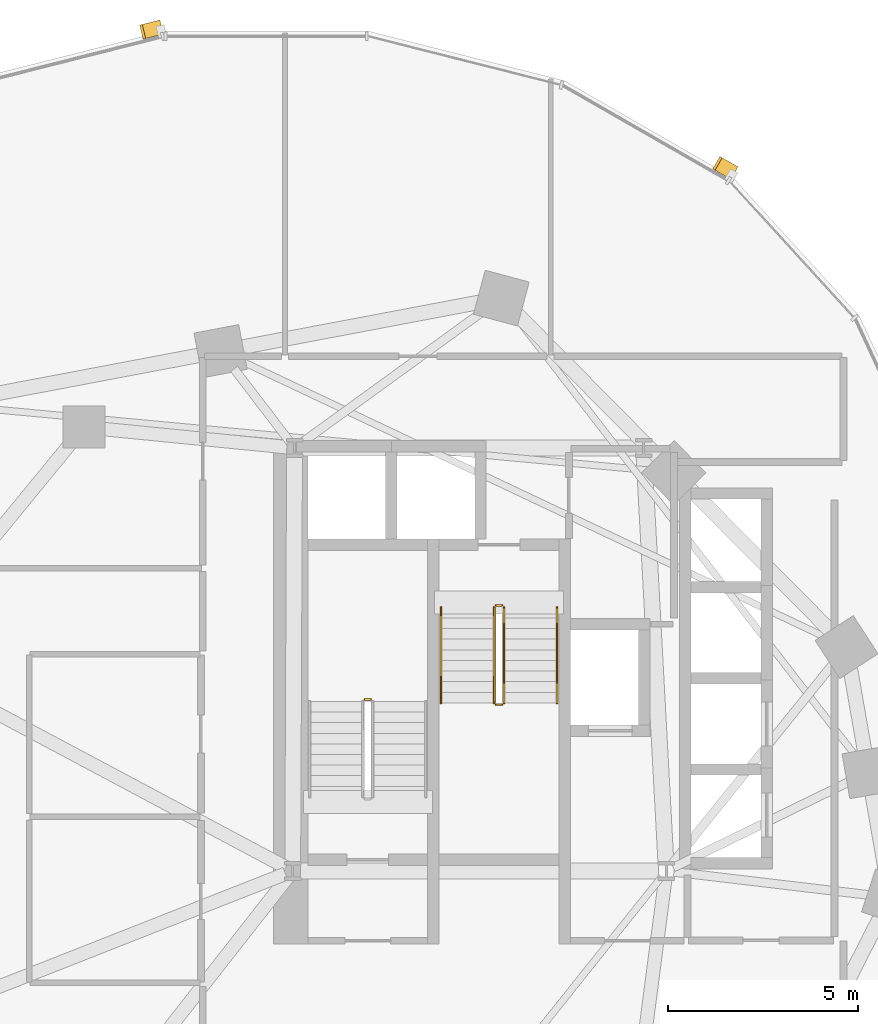
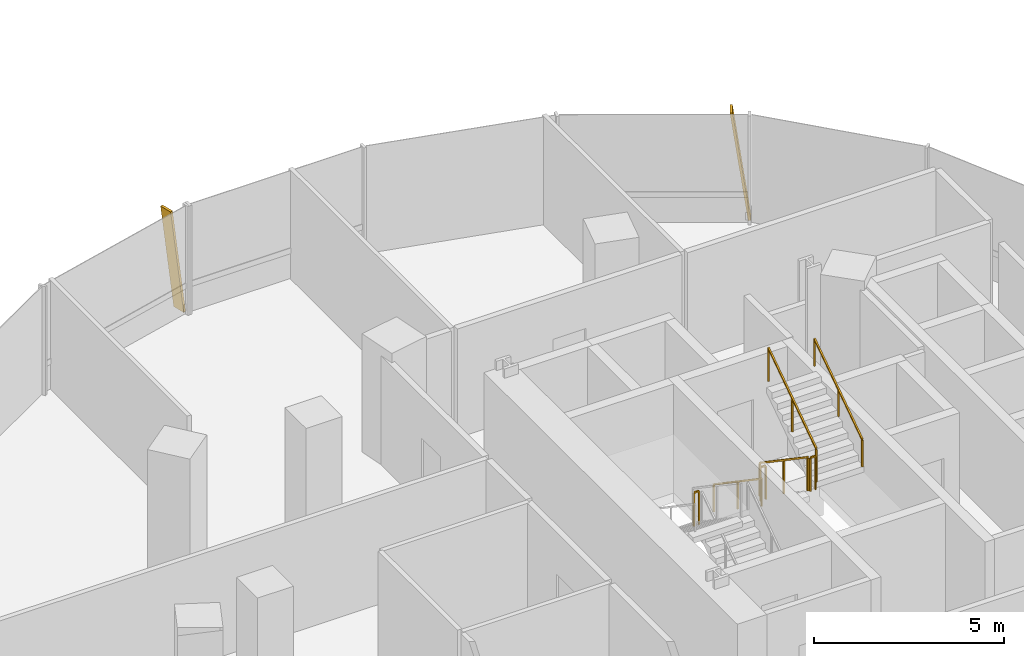
# One storey, part 19 of 21: 7 railings, 2 shading devices.
"""IFC4 building model written with IfcOpenShell, lengths in metres."""

from ifc_helpers import new_model, si_unit, direction, frame, origin, origin_2d, place, context, subcontext, project, spatial, rectangle, extrude, material, material_profile, profile_set, type_object, element, save


model = new_model("IFC4")

# Units and contexts
model_context = context("Model", 3, precision=1e-05, world=origin(), true_north=direction((0.0, 1.0)))
body_context = subcontext(model_context, "Body", "Model", "MODEL_VIEW")
ifc_project = project(units=[si_unit("LENGTHUNIT", "METRE"), si_unit("AREAUNIT", "SQUARE_METRE"), si_unit("VOLUMEUNIT", "CUBIC_METRE"), si_unit("PLANEANGLEUNIT", "RADIAN"), si_unit("MASSUNIT", "GRAM", prefix="KILO"), si_unit("THERMODYNAMICTEMPERATUREUNIT", "KELVIN"), si_unit("POWERUNIT", "WATT")], contexts=[model_context])

# Site, building, storey
site_placement = place(None, origin())
site = spatial("IfcSite", under=ifc_project, at=site_placement, CompositionType="ELEMENT")
building_placement = place(site_placement, origin())
building = spatial("IfcBuilding", under=site, at=building_placement, Name="Cundina Bronze Exchange", CompositionType="ELEMENT")
storey_placement = place(building_placement, frame((0.0, 0.0, 62.0)))
storey = spatial("IfcBuildingStorey", under=building, at=storey_placement, Name="L15", CompositionType="ELEMENT", Elevation=62.0)

# Railings
ifc_material_1 = material(Name="Steel ASTM A36 Painted", Category="steel")
railing_type_1 = type_object("IfcRailingType", Name="RLG-HND-900", PredefinedType="HANDRAIL", material=ifc_material_1)
railing_1_placement = place(storey_placement, frame((-27.389892578125, 10.85009765625, 0.18994140625)))
element("IfcRailing", 1, at=railing_1_placement, inside=storey, type_object=railing_type_1, Name="L15 ST-W2 stair handrail 1", PredefinedType="HANDRAIL", context=body_context, shape_type="SweptSolid", body=[
    extrude(rectangle(XDim=0.048095703125, YDim=0.048095703125, at=origin_2d()), frame((0.0, 0.0, 0.8759765625), z_axis=(0.0, -0.827483756001, 0.561489655786), x_axis=(1.0, 0.0, 0.0)), (0.0, 0.0, 1.0), 3.04541015625),
    extrude(rectangle(XDim=0.0419921875, YDim=0.0419921875, at=origin_2d()), origin(), (0.0, 0.0, 1.0), 0.851806640625),
    extrude(rectangle(XDim=0.0419921875, YDim=0.0419921875, at=origin_2d()), frame((0.0, -1.260009765625, 0.85498046875)), (0.0, 0.0, 1.0), 0.851806640625),
    extrude(rectangle(XDim=0.0419921875, YDim=0.0419921875, at=origin_2d()), frame((0.0, -2.52001953125, 1.7099609375)), (0.0, 0.0, 1.0), 0.851806640625),
])
railing_2_placement = place(storey_placement, frame((-24.330078125, 8.330078125, 2.090087890625)))
element("IfcRailing", 2, at=railing_2_placement, inside=storey, type_object=railing_type_1, Name="L15 ST-W2 stair handrail 2", PredefinedType="HANDRAIL", context=body_context, shape_type="SweptSolid", body=[
    extrude(rectangle(XDim=0.048095703125, YDim=0.048095703125, at=origin_2d()), frame((0.0, 0.0, 0.8759765625), z_axis=(0.0, 0.827483756001, 0.561489655786), x_axis=(-1.0, 0.0, 0.0)), (0.0, 0.0, 1.0), 3.04541015625),
    extrude(rectangle(XDim=0.0419921875, YDim=0.0419921875, at=origin_2d()), origin(), (0.0, 0.0, 1.0), 0.851806640625),
    extrude(rectangle(XDim=0.0419921875, YDim=0.0419921875, at=origin_2d()), frame((0.0, 1.260009765625, 0.85498046875)), (0.0, 0.0, 1.0), 0.851806640625),
    extrude(rectangle(XDim=0.0419921875, YDim=0.0419921875, at=origin_2d()), frame((0.0, 2.52001953125, 1.7099609375)), (0.0, 0.0, 1.0), 0.851806640625),
])
railing_type_2 = type_object("IfcRailingType", Name="RLG-STG-1100", PredefinedType="GUARDRAIL", material=ifc_material_1)
railing_3_placement = place(storey_placement, frame((-29.239990234375, 8.419921875, 1.89990234375)))
element("IfcRailing", 3, at=railing_3_placement, inside=storey, type_object=railing_type_2, Name="L15 ST-W1 stair guard 2", PredefinedType="GUARDRAIL", context=body_context, shape_type="SweptSolid", body=[
    extrude(rectangle(XDim=0.048095703125, YDim=0.048095703125, at=origin_2d()), frame((0.0, 0.0, 1.076171875), z_axis=(-1.0, 0.0, 0.0), x_axis=(0.0, -1.0, 0.0)), (0.0, 0.0, 1.0), 0.159912109375),
    extrude(rectangle(XDim=0.0419921875, YDim=0.0419921875, at=origin_2d()), origin(), (0.0, 0.0, 1.0), 1.052001953125),
    extrude(rectangle(XDim=0.0419921875, YDim=0.0419921875, at=origin_2d()), frame((-0.159912109375, 0.0, 0.0)), (0.0, 0.0, 1.0), 1.052001953125),
])
railing_4_placement = place(storey_placement, frame((-25.989990234375, 10.85009765625, 0.18994140625)))
element("IfcRailing", 4, at=railing_4_placement, inside=storey, type_object=railing_type_2, Name="L15 ST-W2 stair guard 1", PredefinedType="GUARDRAIL", context=body_context, shape_type="SweptSolid", body=[
    extrude(rectangle(XDim=0.048095703125, YDim=0.048095703125, at=origin_2d()), frame((0.0, 0.0, 1.076171875), z_axis=(0.0, -0.827483756001, 0.561489655786), x_axis=(1.0, 0.0, 0.0)), (0.0, 0.0, 1.0), 3.04541015625),
    extrude(rectangle(XDim=0.0419921875, YDim=0.0419921875, at=origin_2d()), origin(), (0.0, 0.0, 1.0), 1.052001953125),
    extrude(rectangle(XDim=0.0419921875, YDim=0.0419921875, at=origin_2d()), frame((0.0, -1.260009765625, 0.85498046875)), (0.0, 0.0, 1.0), 1.052001953125),
    extrude(rectangle(XDim=0.0419921875, YDim=0.0419921875, at=origin_2d()), frame((0.0, -2.52001953125, 1.7099609375)), (0.0, 0.0, 1.0), 1.052001953125),
])
railing_5_placement = place(storey_placement, frame((-25.93994140625, 8.280029296875, 1.89990234375)))
element("IfcRailing", 5, at=railing_5_placement, inside=storey, type_object=railing_type_2, Name="L15 ST-W2 stair guard 2", PredefinedType="GUARDRAIL", context=body_context, shape_type="SweptSolid", body=[
    extrude(rectangle(XDim=0.048095703125, YDim=0.048095703125, at=origin_2d()), frame((0.0, 0.0, 1.076171875), z_axis=(1.0, 0.0, 0.0), x_axis=(0.0, 1.0, 0.0)), (0.0, 0.0, 1.0), 0.159912109375),
    extrude(rectangle(XDim=0.0419921875, YDim=0.0419921875, at=origin_2d()), origin(), (0.0, 0.0, 1.0), 1.052001953125),
    extrude(rectangle(XDim=0.0419921875, YDim=0.0419921875, at=origin_2d()), frame((0.159912109375, 0.0, 0.0)), (0.0, 0.0, 1.0), 1.052001953125),
])
railing_6_placement = place(storey_placement, frame((-25.72998046875, 8.330078125, 2.090087890625)))
element("IfcRailing", 6, at=railing_6_placement, inside=storey, type_object=railing_type_2, Name="L15 ST-W2 stair guard 3", PredefinedType="GUARDRAIL", context=body_context, shape_type="SweptSolid", body=[
    extrude(rectangle(XDim=0.048095703125, YDim=0.048095703125, at=origin_2d()), frame((0.0, 0.0, 1.076171875), z_axis=(0.0, 0.827483756001, 0.561489655786), x_axis=(-1.0, 0.0, 0.0)), (0.0, 0.0, 1.0), 3.04541015625),
    extrude(rectangle(XDim=0.0419921875, YDim=0.0419921875, at=origin_2d()), origin(), (0.0, 0.0, 1.0), 1.052001953125),
    extrude(rectangle(XDim=0.0419921875, YDim=0.0419921875, at=origin_2d()), frame((0.0, 1.260009765625, 0.85498046875)), (0.0, 0.0, 1.0), 1.052001953125),
    extrude(rectangle(XDim=0.0419921875, YDim=0.0419921875, at=origin_2d()), frame((0.0, 2.52001953125, 1.7099609375)), (0.0, 0.0, 1.0), 1.052001953125),
])
railing_7_placement = place(storey_placement, frame((-25.93994140625, 10.89990234375, 0.0)))
element("IfcRailing", 7, at=railing_7_placement, inside=storey, type_object=railing_type_2, Name="L15 ST-W2 stair guard 4", PredefinedType="GUARDRAIL", context=body_context, shape_type="SweptSolid", body=[
    extrude(rectangle(XDim=0.048095703125, YDim=0.048095703125, at=origin_2d()), frame((0.0, 0.0, 1.076171875), z_axis=(1.0, 0.0, 0.0), x_axis=(0.0, 1.0, 0.0)), (0.0, 0.0, 1.0), 0.159912109375),
    extrude(rectangle(XDim=0.0419921875, YDim=0.0419921875, at=origin_2d()), origin(), (0.0, 0.0, 1.0), 1.052001953125),
    extrude(rectangle(XDim=0.0419921875, YDim=0.0419921875, at=origin_2d()), frame((0.159912109375, 0.0, 0.0)), (0.0, 0.0, 1.0), 1.052001953125),
])

# Shading devices
ifc_material_2 = material(Name="Anodised Bronze Aluminium 6063-T6", Category="aluminium")
ifc_material_profile = material_profile(ifc_material_2, rectangle(XDim=0.070068359375, YDim=0.3798828125, at=origin_2d()), Name="FIN70X380", Category="aluminium")
ifc_profile_set = profile_set([ifc_material_profile], Name="Anodised Bronze Aluminium 6063-T6")
shading_device_type = type_object("IfcShadingDeviceType", Name="SHD-FIN-BRZ380", PredefinedType="USERDEFINED", material=ifc_profile_set)
for number, where, z_axis, x_axis, name in (
    (8, (-19.685791015625, 22.314208984375, 0.02001953125), (-0.119166378275, 0.06842456559, 0.990513731915), (0.85898178632, -0.493221799887, 0.137413779831), "L15 Diagonal Bronze Solar Fin 5"),
    (9, (-34.787353515625, 26.138427734375, 0.02001953125), (-0.133214830938, -0.033688115694, 0.990514472221), (0.960284642503, 0.242842181368, 0.137408443412), "L15 Diagonal Bronze Solar Fin 1"),
):
    element("IfcShadingDevice", number, at=place(storey_placement, frame(where, z_axis=z_axis, x_axis=x_axis)), inside=storey, type_object=shading_device_type, Name=name, ObjectType="FIN", PredefinedType="USERDEFINED", context=body_context, shape_type="SweptSolid", body=[
        extrude(rectangle(XDim=0.070068359375, YDim=0.3798828125, at=origin_2d()), origin(), (0.0, 0.0, 1.0), 3.4931640625),
    ])

save(model, "model.ifc")
